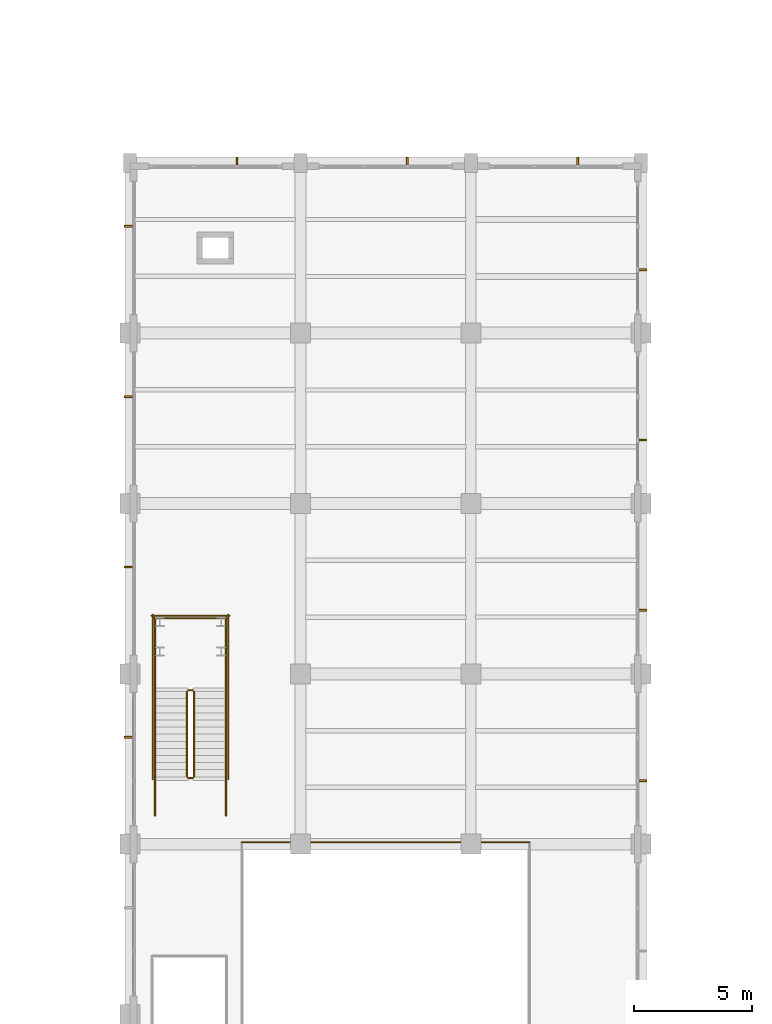
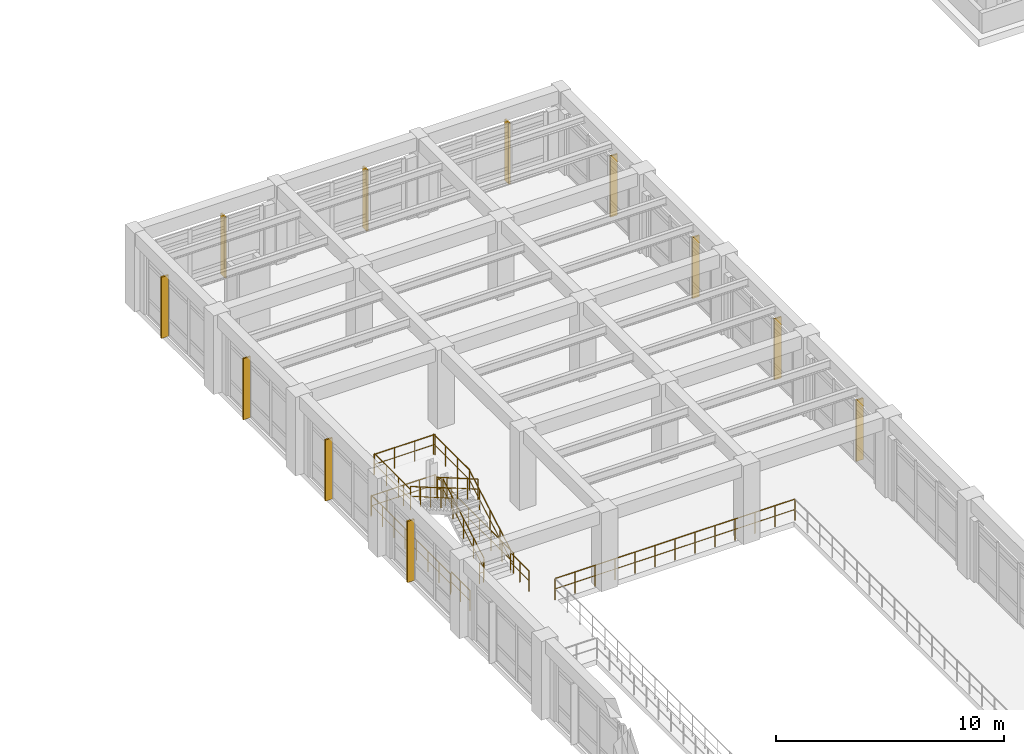
# One storey, part 94 of 98: 15 railings, 11 shading devices.
"""IFC4 building model written with IfcOpenShell, lengths in metres."""

from ifc_helpers import new_model, si_unit, direction, frame, origin, origin_2d, place, context, subcontext, project, spatial, rectangle, circle, extrude, material, material_profile, profile_set, type_object, element, save


model = new_model("IFC4")

# Units and contexts
model_context = context("Model", 3, precision=1e-05, world=origin(), true_north=direction((0.0, 1.0)))
body_context = subcontext(model_context, "Body", "Model", "MODEL_VIEW")
ifc_project = project(units=[si_unit("LENGTHUNIT", "METRE"), si_unit("AREAUNIT", "SQUARE_METRE"), si_unit("VOLUMEUNIT", "CUBIC_METRE"), si_unit("PLANEANGLEUNIT", "RADIAN"), si_unit("MASSUNIT", "GRAM", prefix="KILO")], contexts=[model_context])

# Site, building, storey
site_placement = place(None, origin())
site = spatial("IfcSite", under=ifc_project, at=site_placement, CompositionType="ELEMENT")
building_placement = place(site_placement, origin())
building = spatial("IfcBuilding", under=site, at=building_placement, Name="Solenvale Faculty of Natural Sciences", CompositionType="ELEMENT")
storey_placement = place(building_placement, frame((0.0, 0.0, 9.0)))
storey = spatial("IfcBuildingStorey", under=building, at=storey_placement, Name="L02", CompositionType="ELEMENT", Elevation=9.0)

# Railings
ifc_material_1 = material(Name="Stainless steel Grade 304", Category="steel")
railing_type_1 = type_object("IfcRailingType", Name="RL-GRD-ATR-1150", PredefinedType="GUARDRAIL", material=ifc_material_1)
railing_1_placement = place(storey_placement, frame((38.699951171875, 67.64990234375, 0.173095703125)))
element("IfcRailing", 1, at=railing_1_placement, inside=storey, type_object=railing_type_1, Name="L02 ST-06 stair guard 1", PredefinedType="GUARDRAIL", context=body_context, shape_type="SweptSolid", body=[
    extrude(circle(Radius=0.02392578125, at=origin_2d()), frame((0.0, 0.0, 1.09619140625), z_axis=(0.0, 0.866193409371, 0.499708892819), x_axis=(-1.0, 0.0, 0.0)), (0.0, 0.0, 1.0), 4.15625),
    extrude(circle(Radius=0.01611328125, at=origin_2d()), frame((0.0, 0.0, 0.56005859375), z_axis=(0.0, 0.866193409371, 0.499708892819), x_axis=(-1.0, 0.0, 0.0)), (0.0, 0.0, 1.0), 4.15625),
    extrude(circle(Radius=0.02099609375, at=origin_2d()), origin(), (0.0, 0.0, 1.0), 1.072021484375),
    extrude(circle(Radius=0.02099609375, at=origin_2d()), frame((0.0, 0.89990234375, 0.519287109375)), (0.0, 0.0, 1.0), 1.072021484375),
    extrude(circle(Radius=0.02099609375, at=origin_2d()), frame((0.0, 1.800048828125, 1.03857421875)), (0.0, 0.0, 1.0), 1.072021484375),
    extrude(circle(Radius=0.02099609375, at=origin_2d()), frame((0.0, 2.7001953125, 1.5576171875)), (0.0, 0.0, 1.0), 1.072021484375),
    extrude(circle(Radius=0.02099609375, at=origin_2d()), frame((0.0, 3.60009765625, 2.076904296875)), (0.0, 0.0, 1.0), 1.072021484375),
])
railing_2_placement = place(storey_placement, frame((38.64990234375, 71.300048828125, 2.25)))
element("IfcRailing", 2, at=railing_2_placement, inside=storey, type_object=railing_type_1, Name="L02 ST-06 stair guard 2", PredefinedType="GUARDRAIL", context=body_context, shape_type="SweptSolid", body=[
    extrude(circle(Radius=0.02392578125, at=origin_2d()), frame((0.0, 0.0, 1.09619140625), z_axis=(-1.0, 0.0, 0.0), x_axis=(0.0, -1.0, 0.0)), (0.0, 0.0, 1.0), 0.199951171875),
    extrude(circle(Radius=0.01611328125, at=origin_2d()), frame((0.0, 0.0, 0.56005859375), z_axis=(-1.0, 0.0, 0.0), x_axis=(0.0, -1.0, 0.0)), (0.0, 0.0, 1.0), 0.199951171875),
    extrude(circle(Radius=0.02099609375, at=origin_2d()), origin(), (0.0, 0.0, 1.0), 1.072021484375),
    extrude(circle(Radius=0.02099609375, at=origin_2d()), frame((-0.199951171875, 0.0, 0.0)), (0.0, 0.0, 1.0), 1.072021484375),
])
for number, where, name in (
    (3, (40.050048828125, 71.25, 2.25), "L02 ST-06 stair guard 3"),
    (4, (37.050048828125, 71.25, 2.25), "L02 ST-06 stair guard 4"),
):
    element("IfcRailing", number, at=place(storey_placement, frame(where)), inside=storey, type_object=railing_type_1, Name=name, PredefinedType="GUARDRAIL", context=body_context, shape_type="SweptSolid", body=[
        extrude(circle(Radius=0.02392578125, at=origin_2d()), frame((0.0, 0.0, 1.09619140625), z_axis=(0.0, 1.0, 0.0), x_axis=(-1.0, 0.0, 0.0)), (0.0, 0.0, 1.0), 3.14990234375),
        extrude(circle(Radius=0.01611328125, at=origin_2d()), frame((0.0, 0.0, 0.56005859375), z_axis=(0.0, 1.0, 0.0), x_axis=(-1.0, 0.0, 0.0)), (0.0, 0.0, 1.0), 3.14990234375),
        extrude(circle(Radius=0.02099609375, at=origin_2d()), origin(), (0.0, 0.0, 1.0), 1.072021484375),
        extrude(circle(Radius=0.02099609375, at=origin_2d()), frame((0.0, 1.050048828125, 0.0)), (0.0, 0.0, 1.0), 1.072021484375),
        extrude(circle(Radius=0.02099609375, at=origin_2d()), frame((0.0, 2.099853515625, 0.0)), (0.0, 0.0, 1.0), 1.072021484375),
        extrude(circle(Radius=0.02099609375, at=origin_2d()), frame((0.0, 3.14990234375, 0.0)), (0.0, 0.0, 1.0), 1.072021484375),
    ])
railing_3_placement = place(storey_placement, frame((40.10009765625, 74.35009765625, 2.25)))
element("IfcRailing", 5, at=railing_3_placement, inside=storey, type_object=railing_type_1, Name="L02 ST-06 stair guard 5", PredefinedType="GUARDRAIL", context=body_context, shape_type="SweptSolid", body=[
    extrude(circle(Radius=0.02392578125, at=origin_2d()), frame((0.0, 0.0, 1.09619140625), z_axis=(-1.0, 0.0, 0.0), x_axis=(0.0, -1.0, 0.0)), (0.0, 0.0, 1.0), 3.10009765625),
    extrude(circle(Radius=0.01611328125, at=origin_2d()), frame((0.0, 0.0, 0.56005859375), z_axis=(-1.0, 0.0, 0.0), x_axis=(0.0, -1.0, 0.0)), (0.0, 0.0, 1.0), 3.10009765625),
    extrude(circle(Radius=0.02099609375, at=origin_2d()), origin(), (0.0, 0.0, 1.0), 1.072021484375),
    extrude(circle(Radius=0.02099609375, at=origin_2d()), frame((-1.033447265625, 0.0, 0.0)), (0.0, 0.0, 1.0), 1.072021484375),
    extrude(circle(Radius=0.02099609375, at=origin_2d()), frame((-2.066650390625, 0.0, 0.0)), (0.0, 0.0, 1.0), 1.072021484375),
    extrude(circle(Radius=0.02099609375, at=origin_2d()), frame((-3.10009765625, 0.0, 0.0)), (0.0, 0.0, 1.0), 1.072021484375),
])
railing_4_placement = place(storey_placement, frame((38.39990234375, 71.25, 2.423095703125)))
element("IfcRailing", 6, at=railing_4_placement, inside=storey, type_object=railing_type_1, Name="L02 ST-06 stair guard 6", PredefinedType="GUARDRAIL", context=body_context, shape_type="SweptSolid", body=[
    extrude(circle(Radius=0.02392578125, at=origin_2d()), frame((0.0, 0.0, 1.09619140625), z_axis=(0.0, -0.866193409371, 0.499708892819), x_axis=(1.0, 0.0, 0.0)), (0.0, 0.0, 1.0), 4.15625),
    extrude(circle(Radius=0.01611328125, at=origin_2d()), frame((0.0, 0.0, 0.56005859375), z_axis=(0.0, -0.866193409371, 0.499708892819), x_axis=(1.0, 0.0, 0.0)), (0.0, 0.0, 1.0), 4.15625),
    extrude(circle(Radius=0.02099609375, at=origin_2d()), origin(), (0.0, 0.0, 1.0), 1.072021484375),
    extrude(circle(Radius=0.02099609375, at=origin_2d()), frame((0.0, -0.89990234375, 0.519287109375)), (0.0, 0.0, 1.0), 1.072021484375),
    extrude(circle(Radius=0.02099609375, at=origin_2d()), frame((0.0, -1.800048828125, 1.03857421875)), (0.0, 0.0, 1.0), 1.072021484375),
    extrude(circle(Radius=0.02099609375, at=origin_2d()), frame((0.0, -2.7001953125, 1.5576171875)), (0.0, 0.0, 1.0), 1.072021484375),
    extrude(circle(Radius=0.02099609375, at=origin_2d()), frame((0.0, -3.60009765625, 2.076904296875)), (0.0, 0.0, 1.0), 1.072021484375),
])
railing_5_placement = place(storey_placement, frame((38.64990234375, 67.60009765625, 0.0)))
element("IfcRailing", 7, at=railing_5_placement, inside=storey, type_object=railing_type_1, Name="L02 ST-06 stair guard 7", PredefinedType="GUARDRAIL", context=body_context, shape_type="SweptSolid", body=[
    extrude(circle(Radius=0.02392578125, at=origin_2d()), frame((0.0, 0.0, 1.09619140625), z_axis=(-1.0, 0.0, 0.0), x_axis=(0.0, -1.0, 0.0)), (0.0, 0.0, 1.0), 0.199951171875),
    extrude(circle(Radius=0.01611328125, at=origin_2d()), frame((0.0, 0.0, 0.56005859375), z_axis=(-1.0, 0.0, 0.0), x_axis=(0.0, -1.0, 0.0)), (0.0, 0.0, 1.0), 0.199951171875),
    extrude(circle(Radius=0.02099609375, at=origin_2d()), origin(), (0.0, 0.0, 1.0), 1.072021484375),
    extrude(circle(Radius=0.02099609375, at=origin_2d()), frame((-0.199951171875, 0.0, 0.0)), (0.0, 0.0, 1.0), 1.072021484375),
])
for number, where, name in (
    (8, (40.050048828125, 66.0, 0.0), "L02 ST-06 stair guard 8"),
    (9, (37.050048828125, 66.0, 0.0), "L02 ST-06 stair guard 9"),
):
    element("IfcRailing", number, at=place(storey_placement, frame(where)), inside=storey, type_object=railing_type_1, Name=name, PredefinedType="GUARDRAIL", context=body_context, shape_type="SweptSolid", body=[
        extrude(circle(Radius=0.02392578125, at=origin_2d()), frame((0.0, 0.0, 1.09619140625), z_axis=(0.0, 1.0, 0.0), x_axis=(-1.0, 0.0, 0.0)), (0.0, 0.0, 1.0), 1.64990234375),
        extrude(circle(Radius=0.01611328125, at=origin_2d()), frame((0.0, 0.0, 0.56005859375), z_axis=(0.0, 1.0, 0.0), x_axis=(-1.0, 0.0, 0.0)), (0.0, 0.0, 1.0), 1.64990234375),
        extrude(circle(Radius=0.02099609375, at=origin_2d()), origin(), (0.0, 0.0, 1.0), 1.072021484375),
        extrude(circle(Radius=0.02099609375, at=origin_2d()), frame((0.0, 0.824951171875, 0.0)), (0.0, 0.0, 1.0), 1.072021484375),
        extrude(circle(Radius=0.02099609375, at=origin_2d()), frame((0.0, 1.64990234375, 0.0)), (0.0, 0.0, 1.0), 1.072021484375),
    ])
for number, where, name in (
    (10, (40.14990234375, 67.550048828125, 0.0), "L02 ST-06 stair guard 10"),
    (11, (36.949951171875, 67.550048828125, 0.0), "L02 ST-06 stair guard 11"),
):
    element("IfcRailing", number, at=place(storey_placement, frame(where)), inside=storey, type_object=railing_type_1, Name=name, PredefinedType="GUARDRAIL", context=body_context, shape_type="SweptSolid", body=[
        extrude(circle(Radius=0.02392578125, at=origin_2d()), frame((0.0, 0.0, 1.09619140625), z_axis=(0.0, 1.0, 0.0), x_axis=(-1.0, 0.0, 0.0)), (0.0, 0.0, 1.0), 6.949951171875),
        extrude(circle(Radius=0.01611328125, at=origin_2d()), frame((0.0, 0.0, 0.56005859375), z_axis=(0.0, 1.0, 0.0), x_axis=(-1.0, 0.0, 0.0)), (0.0, 0.0, 1.0), 6.949951171875),
        extrude(circle(Radius=0.02099609375, at=origin_2d()), origin(), (0.0, 0.0, 1.0), 1.072021484375),
        extrude(circle(Radius=0.02099609375, at=origin_2d()), frame((0.0, 0.992919921875, 0.0)), (0.0, 0.0, 1.0), 1.072021484375),
        extrude(circle(Radius=0.02099609375, at=origin_2d()), frame((0.0, 1.985595703125, 0.0)), (0.0, 0.0, 1.0), 1.072021484375),
        extrude(circle(Radius=0.02099609375, at=origin_2d()), frame((0.0, 2.978515625, 0.0)), (0.0, 0.0, 1.0), 1.072021484375),
        extrude(circle(Radius=0.02099609375, at=origin_2d()), frame((0.0, 3.971435546875, 0.0)), (0.0, 0.0, 1.0), 1.072021484375),
        extrude(circle(Radius=0.02099609375, at=origin_2d()), frame((0.0, 4.96435546875, 0.0)), (0.0, 0.0, 1.0), 1.072021484375),
        extrude(circle(Radius=0.02099609375, at=origin_2d()), frame((0.0, 5.95703125, 0.0)), (0.0, 0.0, 1.0), 1.072021484375),
        extrude(circle(Radius=0.02099609375, at=origin_2d()), frame((0.0, 6.949951171875, 0.0)), (0.0, 0.0, 1.0), 1.072021484375),
    ])
railing_6_placement = place(storey_placement, frame((40.199951171875, 74.449951171875, 0.0)))
element("IfcRailing", 12, at=railing_6_placement, inside=storey, type_object=railing_type_1, Name="L02 ST-06 stair guard 12", PredefinedType="GUARDRAIL", context=body_context, shape_type="SweptSolid", body=[
    extrude(circle(Radius=0.02392578125, at=origin_2d()), frame((0.0, 0.0, 1.09619140625), z_axis=(-1.0, 0.0, 0.0), x_axis=(0.0, -1.0, 0.0)), (0.0, 0.0, 1.0), 3.300048828125),
    extrude(circle(Radius=0.01611328125, at=origin_2d()), frame((0.0, 0.0, 0.56005859375), z_axis=(-1.0, 0.0, 0.0), x_axis=(0.0, -1.0, 0.0)), (0.0, 0.0, 1.0), 3.300048828125),
    extrude(circle(Radius=0.02099609375, at=origin_2d()), origin(), (0.0, 0.0, 1.0), 1.072021484375),
    extrude(circle(Radius=0.02099609375, at=origin_2d()), frame((-0.824951171875, 0.0, 0.0)), (0.0, 0.0, 1.0), 1.072021484375),
    extrude(circle(Radius=0.02099609375, at=origin_2d()), frame((-1.64990234375, 0.0, 0.0)), (0.0, 0.0, 1.0), 1.072021484375),
    extrude(circle(Radius=0.02099609375, at=origin_2d()), frame((-2.47509765625, 0.0, 0.0)), (0.0, 0.0, 1.0), 1.072021484375),
    extrude(circle(Radius=0.02099609375, at=origin_2d()), frame((-3.300048828125, 0.0, 0.0)), (0.0, 0.0, 1.0), 1.072021484375),
])
railing_7_placement = place(storey_placement, frame((52.8798828125, 64.8798828125, 0.0)))
element("IfcRailing", 13, at=railing_7_placement, inside=storey, type_object=railing_type_1, Name="L02 Atrium Gallery Guardrail N", PredefinedType="GUARDRAIL", context=body_context, shape_type="SweptSolid", body=[
    extrude(circle(Radius=0.02392578125, at=origin_2d()), frame((0.0, 0.0, 1.1357421875), z_axis=(-1.0, 0.0, 0.0), x_axis=(0.0, -1.0, 0.0)), (0.0, 0.0, 1.0), 12.159912109375),
    extrude(circle(Radius=0.01611328125, at=origin_2d()), frame((0.0, 0.0, 0.580078125), z_axis=(-1.0, 0.0, 0.0), x_axis=(0.0, -1.0, 0.0)), (0.0, 0.0, 1.0), 12.159912109375),
    extrude(circle(Radius=0.02099609375, at=origin_2d()), origin(), (0.0, 0.0, 1.0), 1.11181640625),
    extrude(circle(Radius=0.02099609375, at=origin_2d()), frame((-1.013427734375, 0.0, 0.0)), (0.0, 0.0, 1.0), 1.11181640625),
    extrude(circle(Radius=0.02099609375, at=origin_2d()), frame((-2.026611328125, 0.0, 0.0)), (0.0, 0.0, 1.0), 1.11181640625),
    extrude(circle(Radius=0.02099609375, at=origin_2d()), frame((-3.0400390625, 0.0, 0.0)), (0.0, 0.0, 1.0), 1.11181640625),
    extrude(circle(Radius=0.02099609375, at=origin_2d()), frame((-4.05322265625, 0.0, 0.0)), (0.0, 0.0, 1.0), 1.11181640625),
    extrude(circle(Radius=0.02099609375, at=origin_2d()), frame((-5.066650390625, 0.0, 0.0)), (0.0, 0.0, 1.0), 1.11181640625),
    extrude(circle(Radius=0.02099609375, at=origin_2d()), frame((-6.080078125, 0.0, 0.0)), (0.0, 0.0, 1.0), 1.11181640625),
    extrude(circle(Radius=0.02099609375, at=origin_2d()), frame((-7.09326171875, 0.0, 0.0)), (0.0, 0.0, 1.0), 1.11181640625),
    extrude(circle(Radius=0.02099609375, at=origin_2d()), frame((-8.106689453125, 0.0, 0.0)), (0.0, 0.0, 1.0), 1.11181640625),
    extrude(circle(Radius=0.02099609375, at=origin_2d()), frame((-9.119873046875, 0.0, 0.0)), (0.0, 0.0, 1.0), 1.11181640625),
    extrude(circle(Radius=0.02099609375, at=origin_2d()), frame((-10.13330078125, 0.0, 0.0)), (0.0, 0.0, 1.0), 1.11181640625),
    extrude(circle(Radius=0.02099609375, at=origin_2d()), frame((-11.146484375, 0.0, 0.0)), (0.0, 0.0, 1.0), 1.11181640625),
    extrude(circle(Radius=0.02099609375, at=origin_2d()), frame((-12.159912109375, 0.0, 0.0)), (0.0, 0.0, 1.0), 1.11181640625),
])
railing_type_2 = type_object("IfcRailingType", Name="RL-HND-900", PredefinedType="HANDRAIL", material=ifc_material_1)
railing_8_placement = place(storey_placement, frame((40.050048828125, 67.64990234375, 0.173095703125)))
element("IfcRailing", 14, at=railing_8_placement, inside=storey, type_object=railing_type_2, Name="L02 ST-06 stair handrail 1", PredefinedType="HANDRAIL", context=body_context, shape_type="SweptSolid", body=[
    extrude(circle(Radius=0.02392578125, at=origin_2d()), frame((0.0, 0.0, 1.0732421875), z_axis=(0.0, 0.866193409371, 0.499708892819), x_axis=(-1.0, 0.0, 0.0)), (0.0, 0.0, 1.0), 4.15625),
    extrude(circle(Radius=0.01611328125, at=origin_2d()), frame((0.0, 0.0, 0.548583984375), z_axis=(0.0, 0.866193409371, 0.499708892819), x_axis=(-1.0, 0.0, 0.0)), (0.0, 0.0, 1.0), 4.15625),
    extrude(circle(Radius=0.02099609375, at=origin_2d()), origin(), (0.0, 0.0, 1.0), 1.049072265625),
    extrude(circle(Radius=0.02099609375, at=origin_2d()), frame((0.0, 0.89990234375, 0.519287109375)), (0.0, 0.0, 1.0), 1.049072265625),
    extrude(circle(Radius=0.02099609375, at=origin_2d()), frame((0.0, 1.800048828125, 1.03857421875)), (0.0, 0.0, 1.0), 1.049072265625),
    extrude(circle(Radius=0.02099609375, at=origin_2d()), frame((0.0, 2.7001953125, 1.5576171875)), (0.0, 0.0, 1.0), 1.049072265625),
    extrude(circle(Radius=0.02099609375, at=origin_2d()), frame((0.0, 3.60009765625, 2.076904296875)), (0.0, 0.0, 1.0), 1.049072265625),
])
railing_9_placement = place(storey_placement, frame((37.050048828125, 71.25, 2.423095703125)))
element("IfcRailing", 15, at=railing_9_placement, inside=storey, type_object=railing_type_2, Name="L02 ST-06 stair handrail 2", PredefinedType="HANDRAIL", context=body_context, shape_type="SweptSolid", body=[
    extrude(circle(Radius=0.02392578125, at=origin_2d()), frame((0.0, 0.0, 1.0732421875), z_axis=(0.0, -0.866193409371, 0.499708892819), x_axis=(1.0, 0.0, 0.0)), (0.0, 0.0, 1.0), 4.15625),
    extrude(circle(Radius=0.01611328125, at=origin_2d()), frame((0.0, 0.0, 0.548583984375), z_axis=(0.0, -0.866193409371, 0.499708892819), x_axis=(1.0, 0.0, 0.0)), (0.0, 0.0, 1.0), 4.15625),
    extrude(circle(Radius=0.02099609375, at=origin_2d()), origin(), (0.0, 0.0, 1.0), 1.049072265625),
    extrude(circle(Radius=0.02099609375, at=origin_2d()), frame((0.0, -0.89990234375, 0.519287109375)), (0.0, 0.0, 1.0), 1.049072265625),
    extrude(circle(Radius=0.02099609375, at=origin_2d()), frame((0.0, -1.800048828125, 1.03857421875)), (0.0, 0.0, 1.0), 1.049072265625),
    extrude(circle(Radius=0.02099609375, at=origin_2d()), frame((0.0, -2.7001953125, 1.5576171875)), (0.0, 0.0, 1.0), 1.049072265625),
    extrude(circle(Radius=0.02099609375, at=origin_2d()), frame((0.0, -3.60009765625, 2.076904296875)), (0.0, 0.0, 1.0), 1.049072265625),
])

# Shading devices
ifc_material_2 = material(Name="Anodised bronze aluminium", Category="aluminium")
ifc_material_profile = material_profile(ifc_material_2, rectangle(XDim=0.080078125, YDim=0.360107421875, at=origin_2d()), Name="ALU-FIN-80x360")
ifc_profile_set = profile_set([ifc_material_profile], Name="Anodised bronze aluminium")
shading_device_type = type_object("IfcShadingDeviceType", Name="SHD-FIN-360", PredefinedType="JALOUSIE", material=ifc_profile_set)
for number, where, z_axis, x_axis, name in (
    (16, (57.659912109375, 67.4833984375, -0.02001953125), (0.0, 0.0, 1.0), (0.0, 1.0, 0.0), "L02 Vertical Brise-Soleil Fin 7.4"),
    (17, (57.659912109375, 74.683349609375, -0.02001953125), (0.0, 0.0, 1.0), (0.0, 1.0, 0.0), "L02 Vertical Brise-Soleil Fin 7.5"),
    (18, (57.659912109375, 81.88330078125, -0.02001953125), (0.0, 0.0, 1.0), (0.0, 1.0, 0.0), "L02 Vertical Brise-Soleil Fin 7.6"),
    (19, (57.659912109375, 89.083251953125, -0.02001953125), (0.0, 0.0, 1.0), (0.0, 1.0, 0.0), "L02 Vertical Brise-Soleil Fin 7.7"),
    (20, (54.916748046875, 93.659912109375, -0.02001953125), (0.0, 0.0, 1.0), (1.0, 0.0, 0.0), "L02 Vertical Brise-Soleil Fin 8.1"),
    (21, (47.716552734375, 93.659912109375, -0.02001953125), (0.0, 0.0, 1.0), (1.0, 0.0, 0.0), "L02 Vertical Brise-Soleil Fin 8.2"),
    (22, (40.5166015625, 93.659912109375, -0.02001953125), (0.0, 0.0, 1.0), (1.0, 0.0, 0.0), "L02 Vertical Brise-Soleil Fin 8.3"),
    (23, (35.93994140625, 90.916748046875, -0.02001953125), (0.0, 0.0, 1.0), (0.0, 1.0, 0.0), "L02 Vertical Brise-Soleil Fin 9.1"),
    (24, (35.93994140625, 83.716552734375, -0.02001953125), (0.0, 0.0, 1.0), (0.0, 1.0, 0.0), "L02 Vertical Brise-Soleil Fin 9.2"),
    (25, (35.93994140625, 76.5166015625, -0.02001953125), (0.0, 0.0, 1.0), (0.0, 1.0, 0.0), "L02 Vertical Brise-Soleil Fin 9.3"),
    (26, (35.93994140625, 69.316650390625, -0.02001953125), (0.0, 0.0, 1.0), (0.0, 1.0, 0.0), "L02 Vertical Brise-Soleil Fin 9.4"),
):
    element("IfcShadingDevice", number, at=place(storey_placement, frame(where, z_axis=z_axis, x_axis=x_axis)), inside=storey, type_object=shading_device_type, Name=name, PredefinedType="JALOUSIE", context=body_context, shape_type="SweptSolid", body=[
        extrude(rectangle(XDim=0.080078125, YDim=0.360107421875, at=origin_2d()), origin(), (0.0, 0.0, 1.0), 3.280029296875),
    ])

save(model, "model.ifc")
